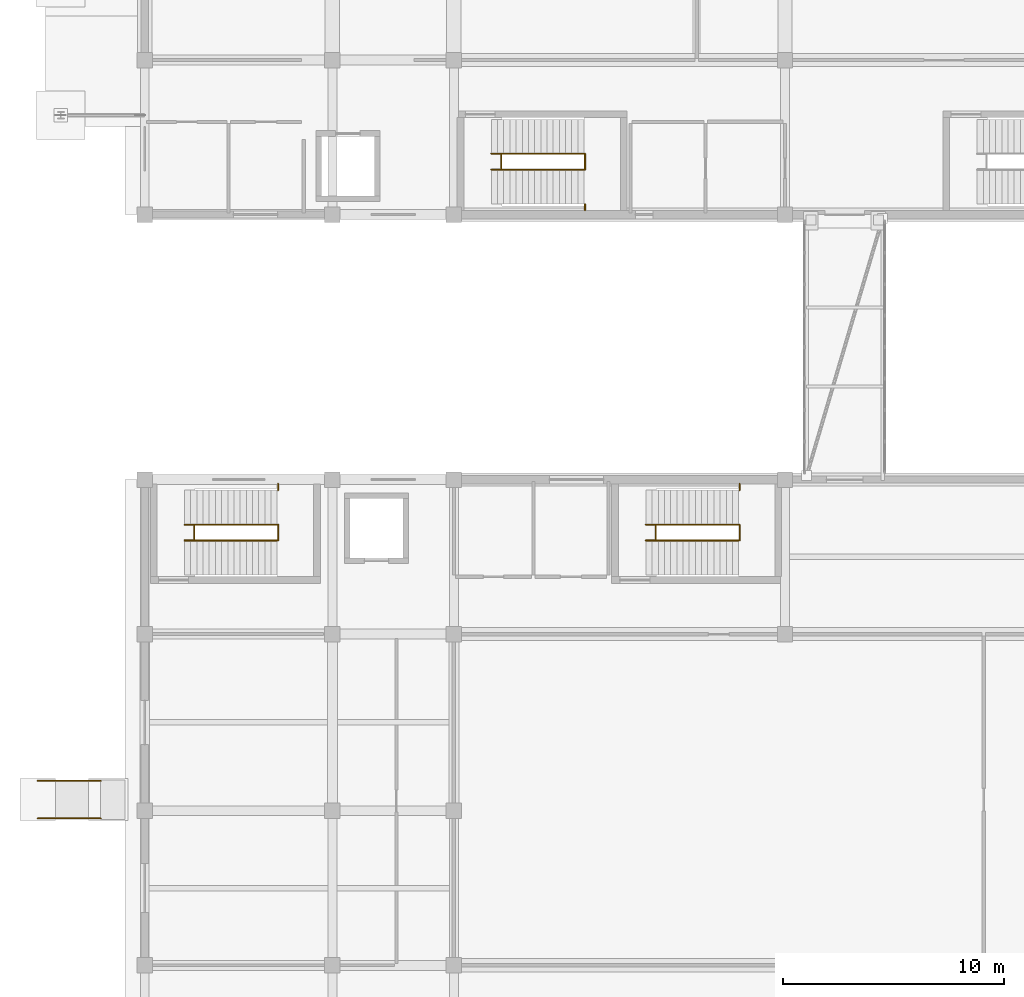
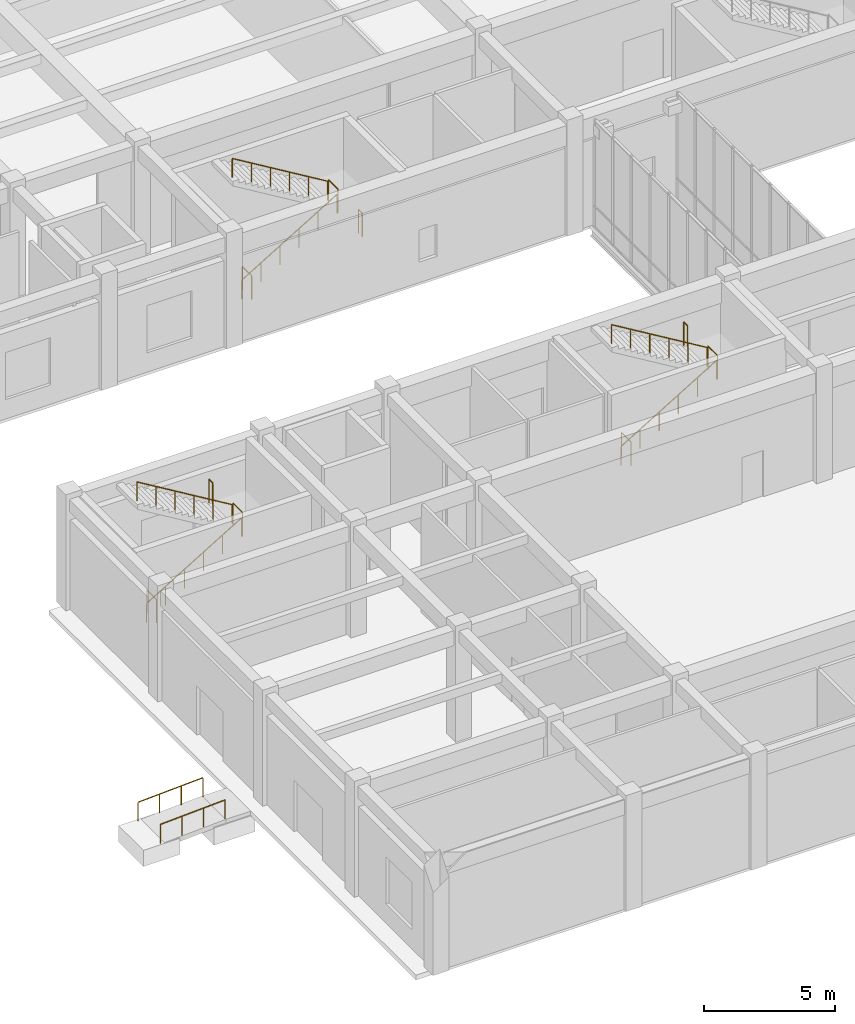
# One storey, part 33 of 40: 17 railings.
"""IFC4 building model written with IfcOpenShell, lengths in metres."""

from ifc_helpers import new_model, si_unit, direction, frame, origin, origin_2d, place, context, subcontext, project, spatial, circle, extrude, material, type_object, element, save


model = new_model("IFC4")

# Units and contexts
model_context = context("Model", 3, precision=1e-05, world=origin(), true_north=direction((0.0, 1.0)))
body_context = subcontext(model_context, "Body", "Model", "MODEL_VIEW")
ifc_project = project(units=[si_unit("LENGTHUNIT", "METRE"), si_unit("AREAUNIT", "SQUARE_METRE"), si_unit("VOLUMEUNIT", "CUBIC_METRE"), si_unit("PLANEANGLEUNIT", "RADIAN"), si_unit("MASSUNIT", "GRAM", prefix="KILO")], contexts=[model_context])

# Site, building, storey
site_placement = place(None, origin())
site = spatial("IfcSite", under=ifc_project, at=site_placement, CompositionType="ELEMENT")
building_placement = place(site_placement, origin())
building = spatial("IfcBuilding", under=site, at=building_placement, Name="Naurynzar Civic Courthouse", CompositionType="ELEMENT")
storey_placement = place(building_placement, origin())
storey = spatial("IfcBuildingStorey", under=building, at=storey_placement, Name="L01", CompositionType="ELEMENT", Elevation=0.0)

# Railings
ifc_material_1 = material(Name="Brushed Stainless Steel 304", Category="steel")
railing_type_1 = type_object("IfcRailingType", Name="RAIL-BAL-1100", PredefinedType="BALUSTRADE", material=ifc_material_1)
for number, where, name in (
    (1, (22.139892578125, 46.0400390625, 0.0), "Stair ST-V1A floor well slot guard L01"),
    (2, (25.93994140625, 46.0400390625, 2.699951171875), "Stair ST-V1A-L01 half-landing well guard"),
):
    element("IfcRailing", number, at=place(storey_placement, frame(where)), inside=storey, type_object=railing_type_1, Name=name, PredefinedType="BALUSTRADE", context=body_context, shape_type="SweptSolid", body=[
        extrude(circle(Radius=0.02392578125, at=origin_2d()), frame((0.0, 0.0, 1.09619140625), z_axis=(0.0, 1.0, 0.0), x_axis=(-1.0, 0.0, 0.0)), (0.0, 0.0, 1.0), 0.719970703125),
        extrude(circle(Radius=0.02099609375, at=origin_2d()), origin(), (0.0, 0.0, 1.0), 1.072021484375),
        extrude(circle(Radius=0.02099609375, at=origin_2d()), frame((0.0, 0.719970703125, 0.0)), (0.0, 0.0, 1.0), 1.072021484375),
    ])
railing_1_placement = place(storey_placement, frame((25.93994140625, 44.195068359375, 2.699951171875)))
element("IfcRailing", 3, at=railing_1_placement, inside=storey, type_object=railing_type_1, Name="Stair ST-V1A-L01 half-landing south slot guard", PredefinedType="BALUSTRADE", context=body_context, shape_type="SweptSolid", body=[
    extrude(circle(Radius=0.02392578125, at=origin_2d()), frame((0.0, 0.0, 1.09619140625), z_axis=(0.0, 1.0, 0.0), x_axis=(-1.0, 0.0, 0.0)), (0.0, 0.0, 1.0), 0.284912109375),
    extrude(circle(Radius=0.02099609375, at=origin_2d()), origin(), (0.0, 0.0, 1.0), 1.072021484375),
    extrude(circle(Radius=0.02099609375, at=origin_2d()), frame((0.0, 0.284912109375, 0.0)), (0.0, 0.0, 1.0), 1.072021484375),
])
for number, where, name in (
    (4, (8.239990234375, 29.239990234375, 0.0), "Stair ST-V4A floor well slot guard L01"),
    (5, (12.0400390625, 29.239990234375, 2.699951171875), "Stair ST-V4A-L01 half-landing well guard"),
):
    element("IfcRailing", number, at=place(storey_placement, frame(where)), inside=storey, type_object=railing_type_1, Name=name, PredefinedType="BALUSTRADE", context=body_context, shape_type="SweptSolid", body=[
        extrude(circle(Radius=0.02392578125, at=origin_2d()), frame((0.0, 0.0, 1.09619140625), z_axis=(0.0, 1.0, 0.0), x_axis=(-1.0, 0.0, 0.0)), (0.0, 0.0, 1.0), 0.719970703125),
        extrude(circle(Radius=0.02099609375, at=origin_2d()), origin(), (0.0, 0.0, 1.0), 1.072021484375),
        extrude(circle(Radius=0.02099609375, at=origin_2d()), frame((0.0, 0.719970703125, 0.0)), (0.0, 0.0, 1.0), 1.072021484375),
    ])
railing_2_placement = place(storey_placement, frame((12.0400390625, 31.52001953125, 2.699951171875)))
element("IfcRailing", 6, at=railing_2_placement, inside=storey, type_object=railing_type_1, Name="Stair ST-V4A-L01 half-landing north slot guard", PredefinedType="BALUSTRADE", context=body_context, shape_type="SweptSolid", body=[
    extrude(circle(Radius=0.02392578125, at=origin_2d()), frame((0.0, 0.0, 1.09619140625), z_axis=(0.0, 1.0, 0.0), x_axis=(-1.0, 0.0, 0.0)), (0.0, 0.0, 1.0), 0.284912109375),
    extrude(circle(Radius=0.02099609375, at=origin_2d()), origin(), (0.0, 0.0, 1.0), 1.072021484375),
    extrude(circle(Radius=0.02099609375, at=origin_2d()), frame((0.0, 0.284912109375, 0.0)), (0.0, 0.0, 1.0), 1.072021484375),
])
for number, where, name in (
    (7, (29.139892578125, 29.239990234375, 0.0), "Stair ST-V4B floor well slot guard L01"),
    (8, (32.93994140625, 29.239990234375, 2.699951171875), "Stair ST-V4B-L01 half-landing well guard"),
):
    element("IfcRailing", number, at=place(storey_placement, frame(where)), inside=storey, type_object=railing_type_1, Name=name, PredefinedType="BALUSTRADE", context=body_context, shape_type="SweptSolid", body=[
        extrude(circle(Radius=0.02392578125, at=origin_2d()), frame((0.0, 0.0, 1.09619140625), z_axis=(0.0, 1.0, 0.0), x_axis=(-1.0, 0.0, 0.0)), (0.0, 0.0, 1.0), 0.719970703125),
        extrude(circle(Radius=0.02099609375, at=origin_2d()), origin(), (0.0, 0.0, 1.0), 1.072021484375),
        extrude(circle(Radius=0.02099609375, at=origin_2d()), frame((0.0, 0.719970703125, 0.0)), (0.0, 0.0, 1.0), 1.072021484375),
    ])
railing_3_placement = place(storey_placement, frame((32.93994140625, 31.52001953125, 2.699951171875)))
element("IfcRailing", 9, at=railing_3_placement, inside=storey, type_object=railing_type_1, Name="Stair ST-V4B-L01 half-landing north slot guard", PredefinedType="BALUSTRADE", context=body_context, shape_type="SweptSolid", body=[
    extrude(circle(Radius=0.02392578125, at=origin_2d()), frame((0.0, 0.0, 1.09619140625), z_axis=(0.0, 1.0, 0.0), x_axis=(-1.0, 0.0, 0.0)), (0.0, 0.0, 1.0), 0.284912109375),
    extrude(circle(Radius=0.02099609375, at=origin_2d()), origin(), (0.0, 0.0, 1.0), 1.072021484375),
    extrude(circle(Radius=0.02099609375, at=origin_2d()), frame((0.0, 0.284912109375, 0.0)), (0.0, 0.0, 1.0), 1.072021484375),
])
ifc_material_2 = material(Name="Brushed Stainless Steel 304", Category="steel")
railing_type_2 = type_object("IfcRailingType", Name="RAIL-HR-900", PredefinedType="HANDRAIL", material=ifc_material_2)
for number, where, name in (
    (10, (1.14990234375, 16.64990234375, -0.142578125), "Accessible ramp handrail RMP-02.1"),
    (11, (1.14990234375, 18.35009765625, -0.142578125), "Accessible ramp handrail RMP-02.2"),
):
    element("IfcRailing", number, at=place(storey_placement, frame(where)), inside=storey, type_object=railing_type_2, Name=name, PredefinedType="HANDRAIL", context=body_context, shape_type="SweptSolid", body=[
        extrude(circle(Radius=0.02392578125, at=origin_2d()), frame((0.0, 0.0, 0.8759765625), z_axis=(0.998751058448, 0.0, 0.04996321896), x_axis=(0.0, 1.0, 0.0)), (0.0, 0.0, 1.0), 2.853759765625),
        extrude(circle(Radius=0.02099609375, at=origin_2d()), origin(), (0.0, 0.0, 1.0), 0.851806640625),
        extrude(circle(Radius=0.02099609375, at=origin_2d()), frame((0.949951171875, 0.0, 0.047607421875)), (0.0, 0.0, 1.0), 0.851806640625),
        extrude(circle(Radius=0.02099609375, at=origin_2d()), frame((1.900146484375, 0.0, 0.094970703125)), (0.0, 0.0, 1.0), 0.851806640625),
        extrude(circle(Radius=0.02099609375, at=origin_2d()), frame((2.85009765625, 0.0, 0.142578125)), (0.0, 0.0, 1.0), 0.851806640625),
    ])
railing_4_placement = place(storey_placement, frame((21.699951171875, 46.0400390625, 0.168701171875)))
element("IfcRailing", 12, at=railing_4_placement, inside=storey, type_object=railing_type_2, Name="Stair ST-V1A-L01 flight 1 handrail", PredefinedType="HANDRAIL", context=body_context, shape_type="SweptSolid", body=[
    extrude(circle(Radius=0.02392578125, at=origin_2d()), frame((0.0, 0.0, 0.8759765625), z_axis=(0.856476492594, 0.0, 0.516186030065), x_axis=(0.0, 1.0, 0.0)), (0.0, 0.0, 1.0), 4.90380859375),
    extrude(circle(Radius=0.02099609375, at=origin_2d()), origin(), (0.0, 0.0, 1.0), 0.851806640625),
    extrude(circle(Radius=0.02099609375, at=origin_2d()), frame((0.840087890625, 0.0, 0.50634765625)), (0.0, 0.0, 1.0), 0.851806640625),
    extrude(circle(Radius=0.02099609375, at=origin_2d()), frame((1.679931640625, 0.0, 1.012451171875)), (0.0, 0.0, 1.0), 0.851806640625),
    extrude(circle(Radius=0.02099609375, at=origin_2d()), frame((2.52001953125, 0.0, 1.518798828125)), (0.0, 0.0, 1.0), 0.851806640625),
    extrude(circle(Radius=0.02099609375, at=origin_2d()), frame((3.35986328125, 0.0, 2.02490234375)), (0.0, 0.0, 1.0), 0.851806640625),
    extrude(circle(Radius=0.02099609375, at=origin_2d()), frame((4.199951171875, 0.0, 2.53125)), (0.0, 0.0, 1.0), 0.851806640625),
])
railing_5_placement = place(storey_placement, frame((25.89990234375, 46.760009765625, 2.868896484375)))
element("IfcRailing", 13, at=railing_5_placement, inside=storey, type_object=railing_type_2, Name="Stair ST-V1A-L01 flight 2 handrail", PredefinedType="HANDRAIL", context=body_context, shape_type="SweptSolid", body=[
    extrude(circle(Radius=0.02392578125, at=origin_2d()), frame((0.0, 0.0, 0.8759765625), z_axis=(-0.856498503035, 0.0, 0.5161495077), x_axis=(0.0, -1.0, 0.0)), (0.0, 0.0, 1.0), 4.903564453125),
    extrude(circle(Radius=0.02099609375, at=origin_2d()), origin(), (0.0, 0.0, 1.0), 0.851806640625),
    extrude(circle(Radius=0.02099609375, at=origin_2d()), frame((-0.840087890625, 0.0, 0.506103515625)), (0.0, 0.0, 1.0), 0.851806640625),
    extrude(circle(Radius=0.02099609375, at=origin_2d()), frame((-1.679931640625, 0.0, 1.012451171875)), (0.0, 0.0, 1.0), 0.851806640625),
    extrude(circle(Radius=0.02099609375, at=origin_2d()), frame((-2.52001953125, 0.0, 1.5185546875)), (0.0, 0.0, 1.0), 0.851806640625),
    extrude(circle(Radius=0.02099609375, at=origin_2d()), frame((-3.35986328125, 0.0, 2.02490234375)), (0.0, 0.0, 1.0), 0.851806640625),
    extrude(circle(Radius=0.02099609375, at=origin_2d()), frame((-4.199951171875, 0.0, 2.531005859375)), (0.0, 0.0, 1.0), 0.851806640625),
])
railing_6_placement = place(storey_placement, frame((7.800048828125, 29.239990234375, 0.168701171875)))
element("IfcRailing", 14, at=railing_6_placement, inside=storey, type_object=railing_type_2, Name="Stair ST-V4A-L01 flight 1 handrail", PredefinedType="HANDRAIL", context=body_context, shape_type="SweptSolid", body=[
    extrude(circle(Radius=0.02392578125, at=origin_2d()), frame((0.0, 0.0, 0.8759765625), z_axis=(0.856476492594, 0.0, 0.516186030065), x_axis=(0.0, 1.0, 0.0)), (0.0, 0.0, 1.0), 4.90380859375),
    extrude(circle(Radius=0.02099609375, at=origin_2d()), origin(), (0.0, 0.0, 1.0), 0.851806640625),
    extrude(circle(Radius=0.02099609375, at=origin_2d()), frame((0.840087890625, 0.0, 0.50634765625)), (0.0, 0.0, 1.0), 0.851806640625),
    extrude(circle(Radius=0.02099609375, at=origin_2d()), frame((1.679931640625, 0.0, 1.012451171875)), (0.0, 0.0, 1.0), 0.851806640625),
    extrude(circle(Radius=0.02099609375, at=origin_2d()), frame((2.52001953125, 0.0, 1.518798828125)), (0.0, 0.0, 1.0), 0.851806640625),
    extrude(circle(Radius=0.02099609375, at=origin_2d()), frame((3.35986328125, 0.0, 2.02490234375)), (0.0, 0.0, 1.0), 0.851806640625),
    extrude(circle(Radius=0.02099609375, at=origin_2d()), frame((4.199951171875, 0.0, 2.53125)), (0.0, 0.0, 1.0), 0.851806640625),
])
railing_7_placement = place(storey_placement, frame((12.0, 29.9599609375, 2.868896484375)))
element("IfcRailing", 15, at=railing_7_placement, inside=storey, type_object=railing_type_2, Name="Stair ST-V4A-L01 flight 2 handrail", PredefinedType="HANDRAIL", context=body_context, shape_type="SweptSolid", body=[
    extrude(circle(Radius=0.02392578125, at=origin_2d()), frame((0.0, 0.0, 0.8759765625), z_axis=(-0.856498503035, 0.0, 0.5161495077), x_axis=(0.0, -1.0, 0.0)), (0.0, 0.0, 1.0), 4.903564453125),
    extrude(circle(Radius=0.02099609375, at=origin_2d()), origin(), (0.0, 0.0, 1.0), 0.851806640625),
    extrude(circle(Radius=0.02099609375, at=origin_2d()), frame((-0.840087890625, 0.0, 0.506103515625)), (0.0, 0.0, 1.0), 0.851806640625),
    extrude(circle(Radius=0.02099609375, at=origin_2d()), frame((-1.679931640625, 0.0, 1.012451171875)), (0.0, 0.0, 1.0), 0.851806640625),
    extrude(circle(Radius=0.02099609375, at=origin_2d()), frame((-2.52001953125, 0.0, 1.5185546875)), (0.0, 0.0, 1.0), 0.851806640625),
    extrude(circle(Radius=0.02099609375, at=origin_2d()), frame((-3.35986328125, 0.0, 2.02490234375)), (0.0, 0.0, 1.0), 0.851806640625),
    extrude(circle(Radius=0.02099609375, at=origin_2d()), frame((-4.199951171875, 0.0, 2.531005859375)), (0.0, 0.0, 1.0), 0.851806640625),
])
railing_8_placement = place(storey_placement, frame((28.699951171875, 29.239990234375, 0.168701171875)))
element("IfcRailing", 16, at=railing_8_placement, inside=storey, type_object=railing_type_2, Name="Stair ST-V4B-L01 flight 1 handrail", PredefinedType="HANDRAIL", context=body_context, shape_type="SweptSolid", body=[
    extrude(circle(Radius=0.02392578125, at=origin_2d()), frame((0.0, 0.0, 0.8759765625), z_axis=(0.856476492594, 0.0, 0.516186030065), x_axis=(0.0, 1.0, 0.0)), (0.0, 0.0, 1.0), 4.90380859375),
    extrude(circle(Radius=0.02099609375, at=origin_2d()), origin(), (0.0, 0.0, 1.0), 0.851806640625),
    extrude(circle(Radius=0.02099609375, at=origin_2d()), frame((0.840087890625, 0.0, 0.50634765625)), (0.0, 0.0, 1.0), 0.851806640625),
    extrude(circle(Radius=0.02099609375, at=origin_2d()), frame((1.679931640625, 0.0, 1.012451171875)), (0.0, 0.0, 1.0), 0.851806640625),
    extrude(circle(Radius=0.02099609375, at=origin_2d()), frame((2.52001953125, 0.0, 1.518798828125)), (0.0, 0.0, 1.0), 0.851806640625),
    extrude(circle(Radius=0.02099609375, at=origin_2d()), frame((3.35986328125, 0.0, 2.02490234375)), (0.0, 0.0, 1.0), 0.851806640625),
    extrude(circle(Radius=0.02099609375, at=origin_2d()), frame((4.199951171875, 0.0, 2.53125)), (0.0, 0.0, 1.0), 0.851806640625),
])
railing_9_placement = place(storey_placement, frame((32.89990234375, 29.9599609375, 2.868896484375)))
element("IfcRailing", 17, at=railing_9_placement, inside=storey, type_object=railing_type_2, Name="Stair ST-V4B-L01 flight 2 handrail", PredefinedType="HANDRAIL", context=body_context, shape_type="SweptSolid", body=[
    extrude(circle(Radius=0.02392578125, at=origin_2d()), frame((0.0, 0.0, 0.8759765625), z_axis=(-0.856498503035, 0.0, 0.5161495077), x_axis=(0.0, -1.0, 0.0)), (0.0, 0.0, 1.0), 4.903564453125),
    extrude(circle(Radius=0.02099609375, at=origin_2d()), origin(), (0.0, 0.0, 1.0), 0.851806640625),
    extrude(circle(Radius=0.02099609375, at=origin_2d()), frame((-0.840087890625, 0.0, 0.506103515625)), (0.0, 0.0, 1.0), 0.851806640625),
    extrude(circle(Radius=0.02099609375, at=origin_2d()), frame((-1.679931640625, 0.0, 1.012451171875)), (0.0, 0.0, 1.0), 0.851806640625),
    extrude(circle(Radius=0.02099609375, at=origin_2d()), frame((-2.52001953125, 0.0, 1.5185546875)), (0.0, 0.0, 1.0), 0.851806640625),
    extrude(circle(Radius=0.02099609375, at=origin_2d()), frame((-3.35986328125, 0.0, 2.02490234375)), (0.0, 0.0, 1.0), 0.851806640625),
    extrude(circle(Radius=0.02099609375, at=origin_2d()), frame((-4.199951171875, 0.0, 2.531005859375)), (0.0, 0.0, 1.0), 0.851806640625),
])

save(model, "model.ifc")
